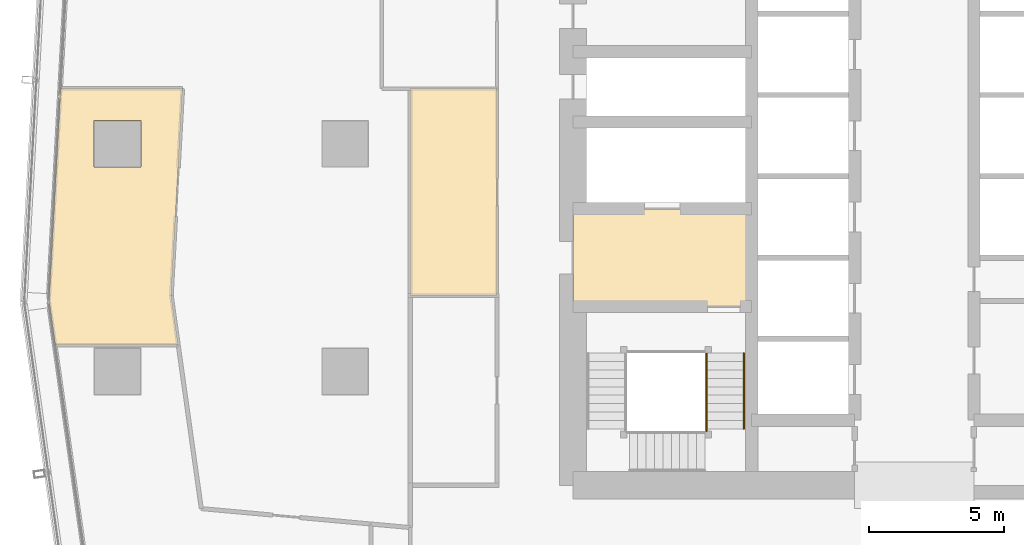
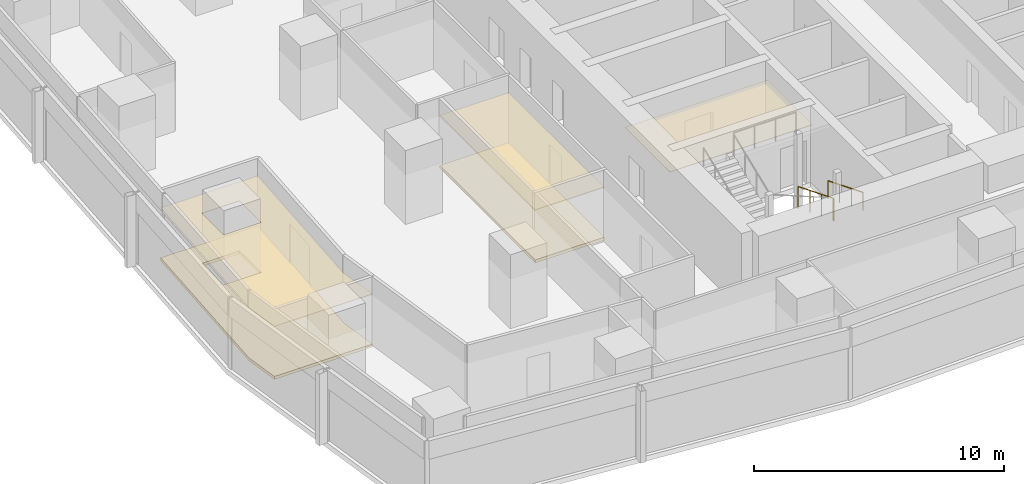
# One storey, part 34 of 40: 5 coverings, 3 railings.
"""IFC4 building model written with IfcOpenShell, lengths in metres."""

from ifc_helpers import new_model, si_unit, direction, frame, origin, origin_2d, place, context, subcontext, project, spatial, polyline, circle, outline, extrude, material, layer, layer_set, type_object, element, save


model = new_model("IFC4")

# Units and contexts
model_context = context("Model", 3, precision=1e-05, world=origin(), true_north=direction((0.0, 1.0)))
body_context = subcontext(model_context, "Body", "Model", "MODEL_VIEW")
ifc_project = project(units=[si_unit("LENGTHUNIT", "METRE"), si_unit("AREAUNIT", "SQUARE_METRE"), si_unit("VOLUMEUNIT", "CUBIC_METRE"), si_unit("PLANEANGLEUNIT", "RADIAN"), si_unit("MASSUNIT", "GRAM", prefix="KILO")], contexts=[model_context])

# Site, building, storey
site_placement = place(None, origin())
site = spatial("IfcSite", under=ifc_project, at=site_placement, CompositionType="ELEMENT")
building_placement = place(site_placement, origin())
building = spatial("IfcBuilding", under=site, at=building_placement, Name="Rekha Terrace Tower", CompositionType="ELEMENT")
storey_placement = place(building_placement, frame((0.0, 0.0, 110.300048828125)))
storey = spatial("IfcBuildingStorey", under=building, at=storey_placement, Name="L27", CompositionType="ELEMENT", Elevation=110.300048828125)

# Coverings
ifc_material_1 = material(Name="Mineral fibre tile in exposed grid", Category="finish")
ifc_layer_1 = layer(ifc_material_1, 0.02001953125)
ifc_layer_set_1 = layer_set([ifc_layer_1], Name="Mineral fibre tile in exposed grid")
covering_type_1 = type_object("IfcCoveringType", Name="CL1 600x1200 office grid ceiling", PredefinedType="CEILING", material=ifc_layer_set_1)
covering_1_placement = place(storey_placement, frame((0.0, 0.0, 2.579833984375)))
element("IfcCovering", 1, at=covering_1_placement, inside=storey, type_object=covering_type_1, Name="Ceiling L27-18", PredefinedType="CEILING", context=body_context, shape_type="SweptSolid", body=[
    extrude(outline(polyline([(10.381103515625, 28.006103515625), (10.800048828125, 35.634033203125), (6.29296875, 35.634033203125), (5.864013671875, 27.81298828125), (6.094970703125, 26.177001953125), (10.638916015625, 26.177001953125), (10.381103515625, 28.006103515625)]), holes=[polyline([(9.264892578125, 32.735107421875), (7.534912109375, 32.735107421875), (7.534912109375, 34.465087890625), (9.264892578125, 34.465087890625), (9.264892578125, 32.735107421875)])]), origin(), (0.0, 0.0, 1.0), 0.02001953125),
])
covering_2_placement = place(storey_placement, frame((0.0, 0.0, 2.579833984375)))
element("IfcCovering", 2, at=covering_2_placement, inside=storey, type_object=covering_type_1, Name="Ceiling L27-21", PredefinedType="CEILING", context=body_context, shape_type="SweptSolid", body=[
    extrude(outline(polyline([(19.199951171875, 35.636962890625), (19.199951171875, 28.0), (22.39990234375, 28.0), (22.39990234375, 35.636962890625), (19.199951171875, 35.636962890625)])), origin(), (0.0, 0.0, 1.0), 0.02001953125),
])
ifc_material_2 = material(Name="Powder-coated aluminium pan", Category="aluminium")
ifc_layer_2 = layer(ifc_material_2, 0.030029296875)
ifc_layer_set_2 = layer_set([ifc_layer_2], Name="Powder-coated aluminium pan")
covering_type_2 = type_object("IfcCoveringType", Name="CL3 300x1200 metal pan ceiling", PredefinedType="CEILING", material=ifc_layer_set_2)
covering_3_placement = place(storey_placement, frame((0.0, 0.0, 2.570068359375)))
element("IfcCovering", 3, at=covering_3_placement, inside=storey, type_object=covering_type_2, Name="Ceiling L27-FLB1", PredefinedType="CEILING", context=body_context, shape_type="SweptSolid", body=[
    extrude(outline(polyline([(31.800048828125, 31.199951171875), (25.199951171875, 31.199951171875), (25.199951171875, 27.60009765625), (31.800048828125, 27.60009765625), (31.800048828125, 31.199951171875)])), origin(), (0.0, 0.0, 1.0), 0.02978515625),
])

# Railings
ifc_material_3 = material(Name="Stainless steel balustrade", Category="steel")
railing_type_1 = type_object("IfcRailingType", Name="GR1 1100 stair guard", PredefinedType="GUARDRAIL", material=ifc_material_3)
railing_1_placement = place(storey_placement, frame((30.135009765625, 25.875, 0.125)))
element("IfcRailing", 4, at=railing_1_placement, inside=storey, type_object=railing_type_1, Name="Guard ST1 L27 flight 1", PredefinedType="GUARDRAIL", context=body_context, shape_type="SweptSolid", body=[
    extrude(circle(Radius=0.02392578125, at=origin_2d()), frame((0.0, 0.0, 1.076171875), z_axis=(0.0, -0.927443287984, 0.373963831907), x_axis=(1.0, 0.0, 0.0)), (0.0, 0.0, 1.0), 3.00830078125),
    extrude(circle(Radius=0.02099609375, at=origin_2d()), origin(), (0.0, 0.0, 1.0), 1.052001953125),
    extrude(circle(Radius=0.02099609375, at=origin_2d()), frame((0.0, -0.929931640625, 0.375)), (0.0, 0.0, 1.0), 1.052001953125),
    extrude(circle(Radius=0.02099609375, at=origin_2d()), frame((0.0, -1.860107421875, 0.75)), (0.0, 0.0, 1.0), 1.052001953125),
    extrude(circle(Radius=0.02099609375, at=origin_2d()), frame((0.0, -2.7900390625, 1.125)), (0.0, 0.0, 1.0), 1.052001953125),
])
railing_2_placement = place(storey_placement, frame((30.135009765625, 23.0849609375, 1.25)))
element("IfcRailing", 5, at=railing_2_placement, inside=storey, type_object=railing_type_1, Name="Guard ST1 L27 landing 1", PredefinedType="GUARDRAIL", context=body_context, shape_type="SweptSolid", body=[
    extrude(circle(Radius=0.02392578125, at=origin_2d()), frame((0.0, 0.0, 1.076171875), z_axis=(0.0, -1.0, 0.0), x_axis=(1.0, 0.0, 0.0)), (0.0, 0.0, 1.0), 0.0849609375),
    extrude(circle(Radius=0.02099609375, at=origin_2d()), origin(), (0.0, 0.0, 1.0), 1.052001953125),
    extrude(circle(Radius=0.02099609375, at=origin_2d()), frame((0.0, -0.0849609375, 0.0)), (0.0, 0.0, 1.0), 1.052001953125),
])
ifc_material_4 = material(Name="Stainless steel tube", Category="steel")
railing_type_2 = type_object("IfcRailingType", Name="HR1 900 stair handrail", PredefinedType="HANDRAIL", material=ifc_material_4)
railing_3_placement = place(storey_placement, frame((31.514892578125, 25.875, 0.125)))
element("IfcRailing", 6, at=railing_3_placement, inside=storey, type_object=railing_type_2, Name="Handrail ST1 L27 flight 1", PredefinedType="HANDRAIL", context=body_context, shape_type="SweptSolid", body=[
    extrude(circle(Radius=0.02392578125, at=origin_2d()), frame((0.0, 0.0, 0.8759765625), z_axis=(0.0, -0.927443287984, 0.373963831907), x_axis=(1.0, 0.0, 0.0)), (0.0, 0.0, 1.0), 3.00830078125),
    extrude(circle(Radius=0.02099609375, at=origin_2d()), origin(), (0.0, 0.0, 1.0), 0.851806640625),
    extrude(circle(Radius=0.02099609375, at=origin_2d()), frame((0.0, -0.929931640625, 0.375)), (0.0, 0.0, 1.0), 0.851806640625),
    extrude(circle(Radius=0.02099609375, at=origin_2d()), frame((0.0, -1.860107421875, 0.75)), (0.0, 0.0, 1.0), 0.851806640625),
    extrude(circle(Radius=0.02099609375, at=origin_2d()), frame((0.0, -2.7900390625, 1.125)), (0.0, 0.0, 1.0), 0.851806640625),
])

# Coverings
ifc_material_5 = material(Name="Calcium sulphate panels on steel pedestals", Category="steel")
ifc_layer_3 = layer(ifc_material_5, 0.14990234375)
ifc_layer_set_3 = layer_set([ifc_layer_3], Name="Calcium sulphate panels on steel pedestals")
covering_type_3 = type_object("IfcCoveringType", Name="RF1 150 raised access floor", PredefinedType="FLOORING", material=ifc_layer_set_3)
covering_4_placement = place(storey_placement, origin())
element("IfcCovering", 7, at=covering_4_placement, inside=storey, type_object=covering_type_3, Name="Raised floor L27-18", PredefinedType="FLOORING", context=body_context, shape_type="SweptSolid", body=[
    extrude(outline(polyline([(10.381103515625, 28.006103515625), (10.800048828125, 35.634033203125), (6.29296875, 35.634033203125), (5.864013671875, 27.81298828125), (6.094970703125, 26.177001953125), (10.638916015625, 26.177001953125), (10.381103515625, 28.006103515625)]), holes=[polyline([(9.264892578125, 32.735107421875), (7.534912109375, 32.735107421875), (7.534912109375, 34.465087890625), (9.264892578125, 34.465087890625), (9.264892578125, 32.735107421875)])]), origin(), (0.0, 0.0, 1.0), 0.14990234375),
])
covering_5_placement = place(storey_placement, origin())
element("IfcCovering", 8, at=covering_5_placement, inside=storey, type_object=covering_type_3, Name="Raised floor L27-21", PredefinedType="FLOORING", context=body_context, shape_type="SweptSolid", body=[
    extrude(outline(polyline([(19.199951171875, 35.636962890625), (19.199951171875, 28.0), (22.39990234375, 28.0), (22.39990234375, 35.636962890625), (19.199951171875, 35.636962890625)])), origin(), (0.0, 0.0, 1.0), 0.14990234375),
])

save(model, "model.ifc")
